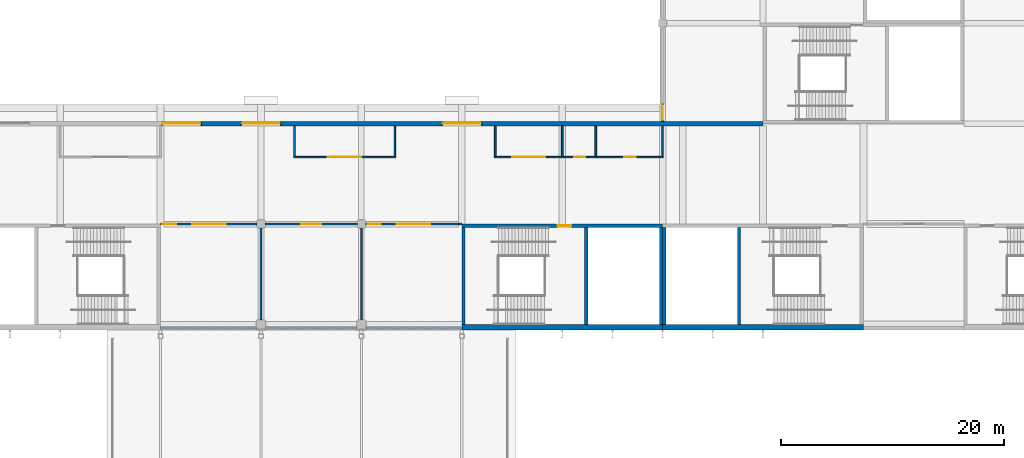
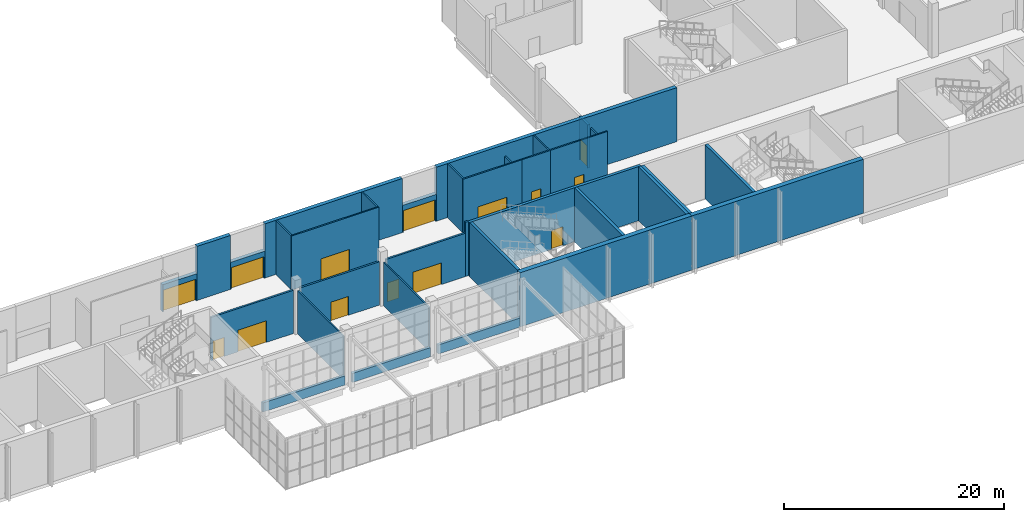
# One storey, part 40 of 89: 34 walls, 14 doors, 14 openings.
"""IFC4 building model written with IfcOpenShell, lengths in metres."""

from ifc_helpers import new_model, si_unit, direction, frame, frame_2d, origin, place, context, subcontext, project, spatial, rectangle, extrude, material, layer, layer_set, type_object, element, fill, save


model = new_model("IFC4")

# Units and contexts
model_context = context("Model", 3, precision=1e-05, world=origin(), true_north=direction((0.0, 1.0)))
body_context = subcontext(model_context, "Body", "Model", "MODEL_VIEW")
ifc_project = project(units=[si_unit("LENGTHUNIT", "METRE"), si_unit("AREAUNIT", "SQUARE_METRE"), si_unit("VOLUMEUNIT", "CUBIC_METRE"), si_unit("PLANEANGLEUNIT", "RADIAN"), si_unit("MASSUNIT", "GRAM", prefix="KILO")], contexts=[model_context])

# Site, building, storey
site_placement = place(None, origin())
site = spatial("IfcSite", under=ifc_project, at=site_placement, CompositionType="ELEMENT")
building_placement = place(site_placement, origin())
building = spatial("IfcBuilding", under=site, at=building_placement, Name="Silverbay Arena", CompositionType="ELEMENT")
storey_placement = place(building_placement, frame((0.0, 0.0, 22.0)))
storey = spatial("IfcBuildingStorey", under=building, at=storey_placement, Name="L03", CompositionType="ELEMENT", Elevation=22.0)

# Wall, opening, door
ifc_material_1 = material(Name="Concrete Grade C45", Category="concrete")
ifc_layer_1 = layer(ifc_material_1, 0.25)
ifc_layer_set_1 = layer_set([ifc_layer_1], Name="Concrete Grade C45")
wall_type_1 = type_object("IfcWallType", Name="Bowl enclosure wall RC 250 EI 120", PredefinedType="SOLIDWALL", material=ifc_layer_set_1)
wall_1_placement = place(storey_placement, frame((162.0, 37.800048828125, 0.0), z_axis=(0.0, 0.0, 1.0), x_axis=(0.0, -1.0, 0.0)))
wall_1 = element("IfcWall", 1, at=wall_1_placement, inside=storey, type_object=wall_type_1, Name="gangway South upper stand end", PredefinedType="SOLIDWALL", context=body_context, shape_type="SweptSolid", body=[
    extrude(rectangle(XDim=1.60009765625, YDim=0.25, at=frame_2d((0.800048828125, 0.0))), origin(), (0.0, 0.0, 1.0), 4.800048828125),
])
opening_1_placement = place(wall_1_placement, frame((0.10009765625, 0.0, 0.0)))
opening_1 = element("IfcOpeningElement", 2, at=opening_1_placement, cuts=wall_1, Name="Opening L03-090", PredefinedType="OPENING", context=body_context, shape_type="SweptSolid", body=[
    extrude(rectangle(XDim=1.39990234375, YDim=2.39990234375, at=frame_2d((0.699951171875, 1.199951171875))), frame((0.0, 0.135009765625, 0.0), z_axis=(0.0, -1.0, 0.0), x_axis=(1.0, 0.0, 0.0)), (0.0, 0.0, 1.0), 0.27001953125),
])
ifc_material_2 = material(Name="Steel", Category="steel")
door_type_1 = type_object("IfcDoorType", Name="Fire door set 1400 x 2400 FD120S gangway", OperationType="DOUBLE_DOOR_SINGLE_SWING", PredefinedType="DOOR", material=ifc_material_2)
door_1_placement = place(opening_1_placement, origin())
door_1 = element("IfcDoor", 3, at=door_1_placement, inside=storey, type_object=door_type_1, Name="Fire door set L03 gangway South upper stand end", OperationType="DOUBLE_DOOR_SINGLE_SWING", OverallHeight=2.39990234375, OverallWidth=1.39990234375, PredefinedType="DOOR", context=body_context, shape_type="SweptSolid", body=[
    extrude(rectangle(XDim=1.39990234375, YDim=2.39990234375, at=frame_2d((0.699951171875, 1.199951171875))), frame((0.0, 0.02490234375, 0.0), z_axis=(0.0, -1.0, 0.0), x_axis=(1.0, 0.0, 0.0)), (0.0, 0.0, 1.0), 0.050048828125),
])
fill(opening_1, door_1)

ifc_material_3 = material(Name="Concrete Grade C45", Category="concrete")
ifc_layer_2 = layer(ifc_material_3, 0.39990234375)
ifc_layer_set_2 = layer_set([ifc_layer_2], Name="Concrete Grade C45")
wall_type_2 = type_object("IfcWallType", Name="Bowl enclosure wall RC 400 EI 120", PredefinedType="SOLIDWALL", material=ifc_layer_set_2)
wall_2_placement = place(storey_placement, frame((124.199951171875, 36.0, 0.0), z_axis=(0.0, 0.0, 1.0), x_axis=(1.0, 0.0, 0.0)))
wall_2 = element("IfcWall", 4, at=wall_2_placement, inside=storey, type_object=wall_type_2, Name="portal vomitory S 126", PredefinedType="SOLIDWALL", context=body_context, shape_type="SweptSolid", body=[
    extrude(rectangle(XDim=3.60009765625, YDim=0.39990234375, at=frame_2d((1.800048828125, 0.0))), origin(), (0.0, 0.0, 1.0), 3.0),
])
opening_2_placement = place(wall_2_placement, frame((0.10009765625, 0.0, 0.0)))
opening_2 = element("IfcOpeningElement", 5, at=opening_2_placement, cuts=wall_2, Name="Opening L03-093", PredefinedType="OPENING", context=body_context, shape_type="SweptSolid", body=[
    extrude(rectangle(XDim=3.39990234375, YDim=2.39990234375, at=frame_2d((1.699951171875, 1.199951171875))), frame((0.0, 0.2099609375, 0.0), z_axis=(0.0, -1.0, 0.0), x_axis=(1.0, 0.0, 0.0)), (0.0, 0.0, 1.0), 0.419921875),
])
ifc_material_4 = material(Name="Steel", Category="steel")
door_type_2 = type_object("IfcDoorType", Name="Fire door set 3400 x 2400 FD120S portal", OperationType="DOUBLE_DOOR_SINGLE_SWING", PredefinedType="DOOR", material=ifc_material_4)
door_2_placement = place(opening_2_placement, frame((3.39990234375, 0.0, 0.0), z_axis=(0.0, 0.0, 1.0), x_axis=(-1.0, 0.0, 0.0)))
door_2 = element("IfcDoor", 6, at=door_2_placement, inside=storey, type_object=door_type_2, Name="Fire door set L03 portal vomitory S 126", OperationType="DOUBLE_DOOR_SINGLE_SWING", OverallHeight=2.39990234375, OverallWidth=3.39990234375, PredefinedType="DOOR", context=body_context, shape_type="SweptSolid", body=[
    extrude(rectangle(XDim=3.39990234375, YDim=2.39990234375, at=frame_2d((1.699951171875, 1.199951171875))), frame((0.0, 0.02490234375, 0.0), z_axis=(0.0, -1.0, 0.0), x_axis=(1.0, 0.0, 0.0)), (0.0, 0.0, 1.0), 0.050048828125),
])
fill(opening_2, door_2)

wall_3_placement = place(storey_placement, frame((142.199951171875, 36.0, 0.0), z_axis=(0.0, 0.0, 1.0), x_axis=(1.0, 0.0, 0.0)))
wall_3 = element("IfcWall", 7, at=wall_3_placement, inside=storey, type_object=wall_type_2, Name="portal vomitory S 144", PredefinedType="SOLIDWALL", context=body_context, shape_type="SweptSolid", body=[
    extrude(rectangle(XDim=3.60009765625, YDim=0.39990234375, at=frame_2d((1.800048828125, 0.0))), origin(), (0.0, 0.0, 1.0), 3.0),
])
opening_3_placement = place(wall_3_placement, frame((0.10009765625, 0.0, 0.0)))
opening_3 = element("IfcOpeningElement", 8, at=opening_3_placement, cuts=wall_3, Name="Opening L03-094", PredefinedType="OPENING", context=body_context, shape_type="SweptSolid", body=[
    extrude(rectangle(XDim=3.39990234375, YDim=2.39990234375, at=frame_2d((1.699951171875, 1.199951171875))), frame((0.0, 0.2099609375, 0.0), z_axis=(0.0, -1.0, 0.0), x_axis=(1.0, 0.0, 0.0)), (0.0, 0.0, 1.0), 0.419921875),
])
door_3_placement = place(opening_3_placement, frame((3.39990234375, 0.0, 0.0), z_axis=(0.0, 0.0, 1.0), x_axis=(-1.0, 0.0, 0.0)))
door_3 = element("IfcDoor", 9, at=door_3_placement, inside=storey, type_object=door_type_2, Name="Fire door set L03 portal vomitory S 144", OperationType="DOUBLE_DOOR_SINGLE_SWING", OverallHeight=2.39990234375, OverallWidth=3.39990234375, PredefinedType="DOOR", context=body_context, shape_type="SweptSolid", body=[
    extrude(rectangle(XDim=3.39990234375, YDim=2.39990234375, at=frame_2d((1.699951171875, 1.199951171875))), frame((0.0, 0.02490234375, 0.0), z_axis=(0.0, -1.0, 0.0), x_axis=(1.0, 0.0, 0.0)), (0.0, 0.0, 1.0), 0.050048828125),
])
fill(opening_3, door_3)

wall_4_placement = place(storey_placement, frame((117.074951171875, 36.0, 0.0), z_axis=(0.0, 0.0, 1.0), x_axis=(1.0, 0.0, 0.0)))
wall_4 = element("IfcWall", 10, at=wall_4_placement, inside=storey, type_object=wall_type_2, Name="portal stand S 118.875", PredefinedType="SOLIDWALL", context=body_context, shape_type="SweptSolid", body=[
    extrude(rectangle(XDim=3.60009765625, YDim=0.39990234375, at=frame_2d((1.800048828125, 0.0))), origin(), (0.0, 0.0, 1.0), 3.0),
])
opening_4_placement = place(wall_4_placement, frame((0.10009765625, 0.0, 0.0)))
opening_4 = element("IfcOpeningElement", 11, at=opening_4_placement, cuts=wall_4, Name="Opening L03-100", PredefinedType="OPENING", context=body_context, shape_type="SweptSolid", body=[
    extrude(rectangle(XDim=3.39990234375, YDim=2.39990234375, at=frame_2d((1.699951171875, 1.199951171875))), frame((0.0, 0.2099609375, 0.0), z_axis=(0.0, -1.0, 0.0), x_axis=(1.0, 0.0, 0.0)), (0.0, 0.0, 1.0), 0.419921875),
])
door_4_placement = place(opening_4_placement, frame((3.39990234375, 0.0, 0.0), z_axis=(0.0, 0.0, 1.0), x_axis=(-1.0, 0.0, 0.0)))
door_4 = element("IfcDoor", 12, at=door_4_placement, inside=storey, type_object=door_type_2, Name="Fire door set L03 portal stand S 118.875", OperationType="DOUBLE_DOOR_SINGLE_SWING", OverallHeight=2.39990234375, OverallWidth=3.39990234375, PredefinedType="DOOR", context=body_context, shape_type="SweptSolid", body=[
    extrude(rectangle(XDim=3.39990234375, YDim=2.39990234375, at=frame_2d((1.699951171875, 1.199951171875))), frame((0.0, 0.02490234375, 0.0), z_axis=(0.0, -1.0, 0.0), x_axis=(1.0, 0.0, 0.0)), (0.0, 0.0, 1.0), 0.050048828125),
])
fill(opening_4, door_4)

# Walls
ifc_material_5 = material(Name="Concrete Grade C45 precast, light finish", Category="concrete")
ifc_layer_3 = layer(ifc_material_5, 0.300048828125)
ifc_layer_set_3 = layer_set([ifc_layer_3], Name="Concrete Grade C45 precast, light finish")
wall_type_3 = type_object("IfcWallType", Name="Cladded external wall 300", PredefinedType="SOLIDWALL", material=ifc_layer_set_3)
wall_5_placement = place(storey_placement, frame((117.0, 17.64990234375, 0.0), z_axis=(0.0, 0.0, 1.0), x_axis=(1.0, 0.0, 0.0)))
element("IfcWall", 13, at=wall_5_placement, inside=storey, type_object=wall_type_3, Name="South sill wall L03 bay 8", PredefinedType="SOLIDWALL", context=body_context, shape_type="SweptSolid", body=[
    extrude(rectangle(XDim=8.60009765625, YDim=0.300048828125, at=frame_2d((4.300048828125, 0.0))), origin(), (0.0, 0.0, 1.0), 1.0),
])
wall_6_placement = place(storey_placement, frame((126.39990234375, 17.64990234375, 0.0), z_axis=(0.0, 0.0, 1.0), x_axis=(1.0, 0.0, 0.0)))
element("IfcWall", 14, at=wall_6_placement, inside=storey, type_object=wall_type_3, Name="South sill wall L03 bay 9", PredefinedType="SOLIDWALL", context=body_context, shape_type="SweptSolid", body=[
    extrude(rectangle(XDim=8.2001953125, YDim=0.300048828125, at=frame_2d((4.10009765625, 0.0))), origin(), (0.0, 0.0, 1.0), 1.0),
])
wall_7_placement = place(storey_placement, frame((135.39990234375, 17.64990234375, 0.0), z_axis=(0.0, 0.0, 1.0), x_axis=(1.0, 0.0, 0.0)))
element("IfcWall", 15, at=wall_7_placement, inside=storey, type_object=wall_type_3, Name="South sill wall L03 bay 10", PredefinedType="SOLIDWALL", context=body_context, shape_type="SweptSolid", body=[
    extrude(rectangle(XDim=8.60009765625, YDim=0.300048828125, at=frame_2d((4.300048828125, 0.0))), origin(), (0.0, 0.0, 1.0), 1.0),
])

# Wall, opening, door
ifc_material_6 = material(Name="Concrete Grade C45", Category="concrete")
ifc_layer_4 = layer(ifc_material_6, 0.300048828125)
ifc_layer_set_4 = layer_set([ifc_layer_4], Name="Concrete Grade C45")
wall_type_4 = type_object("IfcWallType", Name="Core wall RC 300 EI 120", PredefinedType="SHEAR", material=ifc_layer_set_4)
wall_8_placement = place(storey_placement, frame((144.0, 26.85009765625, 0.0), z_axis=(0.0, 0.0, 1.0), x_axis=(1.0, 0.0, 0.0)))
wall_8 = element("IfcWall", 16, at=wall_8_placement, inside=storey, type_object=wall_type_4, Name="Core wall ST-S3 L03 door side", PredefinedType="SHEAR", context=body_context, shape_type="SweptSolid", body=[
    extrude(rectangle(XDim=18.0, YDim=0.300048828125, at=frame_2d((9.0, 0.0))), origin(), (0.0, 0.0, 1.0), 6.0),
])
opening_5_placement = place(wall_8_placement, frame((8.60009765625, 0.0, 0.0)))
opening_5 = element("IfcOpeningElement", 17, at=opening_5_placement, cuts=wall_8, Name="Opening L03-055", PredefinedType="OPENING", context=body_context, shape_type="SweptSolid", body=[
    extrude(rectangle(XDim=1.199951171875, YDim=2.10009765625, at=frame_2d((0.60009765625, 1.050048828125))), frame((0.0, 0.16015625, 0.0), z_axis=(0.0, -1.0, 0.0), x_axis=(1.0, 0.0, 0.0)), (0.0, 0.0, 1.0), 0.320068359375),
])
ifc_material_7 = material(Name="Steel fire door", Category="steel")
door_type_3 = type_object("IfcDoorType", Name="Stair door 1200 x 2100 fire door", OperationType="SINGLE_SWING_LEFT", PredefinedType="DOOR", material=ifc_material_7)
door_5_placement = place(opening_5_placement, frame((1.199951171875, 0.0, 0.0), z_axis=(0.0, 0.0, 1.0), x_axis=(-1.0, 0.0, 0.0)))
door_5 = element("IfcDoor", 18, at=door_5_placement, inside=storey, type_object=door_type_3, Name="Stair door ST-S3 L03", OperationType="SINGLE_SWING_LEFT", OverallHeight=2.10009765625, OverallWidth=1.199951171875, PredefinedType="DOOR", context=body_context, shape_type="SweptSolid", body=[
    extrude(rectangle(XDim=1.199951171875, YDim=2.10009765625, at=frame_2d((0.60009765625, 1.050048828125))), frame((0.0, 0.02490234375, 0.0), z_axis=(0.0, -1.0, 0.0), x_axis=(1.0, 0.0, 0.0)), (0.0, 0.0, 1.0), 0.050048828125),
])
fill(opening_5, door_5)

# Walls
for number, where, z_axis, x_axis, name in (
    (19, (144.14990234375, 26.699951171875, 0.0), (0.0, 0.0, 1.0), (0.0, -1.0, 0.0), "Core wall ST-S3 L03 end 1"),
    (20, (161.85009765625, 26.699951171875, 0.0), (0.0, 0.0, 1.0), (0.0, -1.0, 0.0), "Core wall ST-S3 L03 end 2"),
    (21, (155.14990234375, 26.699951171875, 0.0), (0.0, 0.0, 1.0), (0.0, -1.0, 0.0), "Core wall ST-S3 L03 stair enclosure"),
    (22, (162.14990234375, 26.699951171875, 0.0), (0.0, 0.0, 1.0), (0.0, -1.0, 0.0), "Core wall ST-S4 L03 end 2"),
    (23, (168.85009765625, 26.699951171875, 0.0), (0.0, 0.0, 1.0), (0.0, -1.0, 0.0), "Core wall ST-S4 L03 stair enclosure"),
):
    element("IfcWall", number, at=place(storey_placement, frame(where, z_axis=z_axis, x_axis=x_axis)), inside=storey, type_object=wall_type_4, Name=name, PredefinedType="SHEAR", context=body_context, shape_type="SweptSolid", body=[
        extrude(rectangle(XDim=8.699951171875, YDim=0.300048828125, at=frame_2d((4.35009765625, 0.0))), origin(), (0.0, 0.0, 1.0), 6.0),
    ])
ifc_material_8 = material(Name="Concrete Grade C45", Category="concrete")
ifc_layer_5 = layer(ifc_material_8, 0.5)
ifc_layer_set_5 = layer_set([ifc_layer_5], Name="Concrete Grade C45")
wall_type_5 = type_object("IfcWallType", Name="Core wall RC 500 external EI 120", PredefinedType="SHEAR", material=ifc_layer_set_5)
for number, where, z_axis, x_axis, name in (
    (24, (144.0, 17.75, 0.0), (0.0, 0.0, 1.0), (1.0, 0.0, 0.0), "Core wall ST-S3 L03 facade side"),
    (25, (180.0, 17.75, 0.0), (0.0, 0.0, 1.0), (-1.0, 0.0, 0.0), "Core wall ST-S4 L03 facade side"),
):
    element("IfcWall", number, at=place(storey_placement, frame(where, z_axis=z_axis, x_axis=x_axis)), inside=storey, type_object=wall_type_5, Name=name, PredefinedType="SHEAR", context=body_context, shape_type="SweptSolid", body=[
        extrude(rectangle(XDim=18.0, YDim=0.5, at=frame_2d((9.0, 0.0))), origin(), (0.0, 0.0, 1.0), 6.0),
    ])

# Wall, opening, door
ifc_material_9 = material(Name="Gypsum board partition on steel studs", Category="steel")
ifc_layer_6 = layer(ifc_material_9, 0.14990234375)
ifc_layer_set_6 = layer_set([ifc_layer_6], Name="Gypsum board partition on steel studs")
wall_type_6 = type_object("IfcWallType", Name="Partition 150 EI 60", PredefinedType="PARTITIONING", material=ifc_layer_set_6)
wall_9_placement = place(storey_placement, frame((128.925048828125, 33.0, 0.0), z_axis=(0.0, 0.0, 1.0), x_axis=(1.0, 0.0, 0.0)))
wall_9 = element("IfcWall", 26, at=wall_9_placement, inside=storey, type_object=wall_type_6, Name="Partition wall", PredefinedType="PARTITIONING", context=body_context, shape_type="SweptSolid", body=[
    extrude(rectangle(XDim=9.14990234375, YDim=0.14990234375, at=frame_2d((4.574951171875, 0.0))), origin(), (0.0, 0.0, 1.0), 6.0),
])
opening_6_placement = place(wall_9_placement, frame((3.074951171875, 0.0, 0.0)))
opening_6 = element("IfcOpeningElement", 27, at=opening_6_placement, cuts=wall_9, Name="Opening L03-028", PredefinedType="OPENING", context=body_context, shape_type="SweptSolid", body=[
    extrude(rectangle(XDim=3.0, YDim=2.39990234375, at=frame_2d((1.5, 1.199951171875))), frame((0.0, 0.0849609375, 0.0), z_axis=(0.0, -1.0, 0.0), x_axis=(1.0, 0.0, 0.0)), (0.0, 0.0, 1.0), 0.169921875),
])
ifc_material_10 = material(Name="Steel", Category="steel")
door_type_4 = type_object("IfcDoorType", Name="Roller shutter 3000 x 2400 FD30S", OperationType="ROLLINGUP", PredefinedType="DOOR", material=ifc_material_10)
door_6_placement = place(opening_6_placement, origin())
door_6 = element("IfcDoor", 28, at=door_6_placement, inside=storey, type_object=door_type_4, Name="Door L03-028", OperationType="ROLLINGUP", OverallHeight=2.39990234375, OverallWidth=3.0, PredefinedType="DOOR", context=body_context, shape_type="SweptSolid", body=[
    extrude(rectangle(XDim=3.0, YDim=2.39990234375, at=frame_2d((1.5, 1.199951171875))), frame((0.0, 0.02490234375, 0.0), z_axis=(0.0, -1.0, 0.0), x_axis=(1.0, 0.0, 0.0)), (0.0, 0.0, 1.0), 0.050048828125),
])
fill(opening_6, door_6)

wall_10_placement = place(storey_placement, frame((146.925048828125, 33.0, 0.0), z_axis=(0.0, 0.0, 1.0), x_axis=(1.0, 0.0, 0.0)))
wall_10 = element("IfcWall", 29, at=wall_10_placement, inside=storey, type_object=wall_type_6, Name="Partition wall", PredefinedType="PARTITIONING", context=body_context, shape_type="SweptSolid", body=[
    extrude(rectangle(XDim=6.14990234375, YDim=0.14990234375, at=frame_2d((3.074951171875, 0.0))), origin(), (0.0, 0.0, 1.0), 6.0),
])
opening_7_placement = place(wall_10_placement, frame((1.574951171875, 0.0, 0.0)))
opening_7 = element("IfcOpeningElement", 30, at=opening_7_placement, cuts=wall_10, Name="Opening L03-029", PredefinedType="OPENING", context=body_context, shape_type="SweptSolid", body=[
    extrude(rectangle(XDim=3.0, YDim=2.39990234375, at=frame_2d((1.5, 1.199951171875))), frame((0.0, 0.0849609375, 0.0), z_axis=(0.0, -1.0, 0.0), x_axis=(1.0, 0.0, 0.0)), (0.0, 0.0, 1.0), 0.169921875),
])
door_7_placement = place(opening_7_placement, origin())
door_7 = element("IfcDoor", 31, at=door_7_placement, inside=storey, type_object=door_type_4, Name="Door L03-029", OperationType="ROLLINGUP", OverallHeight=2.39990234375, OverallWidth=3.0, PredefinedType="DOOR", context=body_context, shape_type="SweptSolid", body=[
    extrude(rectangle(XDim=3.0, YDim=2.39990234375, at=frame_2d((1.5, 1.199951171875))), frame((0.0, 0.02490234375, 0.0), z_axis=(0.0, -1.0, 0.0), x_axis=(1.0, 0.0, 0.0)), (0.0, 0.0, 1.0), 0.050048828125),
])
fill(opening_7, door_7)

wall_11_placement = place(storey_placement, frame((153.074951171875, 33.0, 0.0), z_axis=(0.0, 0.0, 1.0), x_axis=(1.0, 0.0, 0.0)))
wall_11 = element("IfcWall", 32, at=wall_11_placement, inside=storey, type_object=wall_type_6, Name="Partition wall", PredefinedType="PARTITIONING", context=body_context, shape_type="SweptSolid", body=[
    extrude(rectangle(XDim=3.0, YDim=0.14990234375, at=frame_2d((1.5, 0.0))), origin(), (0.0, 0.0, 1.0), 6.0),
])
opening_8_placement = place(wall_11_placement, frame((1.0, 0.0, 0.0)))
opening_8 = element("IfcOpeningElement", 33, at=opening_8_placement, cuts=wall_11, Name="Opening L03-030", PredefinedType="OPENING", context=body_context, shape_type="SweptSolid", body=[
    extrude(rectangle(XDim=1.0, YDim=2.10009765625, at=frame_2d((0.5, 1.050048828125))), frame((0.0, 0.0849609375, 0.0), z_axis=(0.0, -1.0, 0.0), x_axis=(1.0, 0.0, 0.0)), (0.0, 0.0, 1.0), 0.169921875),
])
ifc_material_11 = material(Name="Steel faced timber", Category="steel")
door_type_5 = type_object("IfcDoorType", Name="Single leaf door 1000 x 2100 FD30S", OperationType="SINGLE_SWING_LEFT", PredefinedType="DOOR", material=ifc_material_11)
door_8_placement = place(opening_8_placement, origin())
door_8 = element("IfcDoor", 34, at=door_8_placement, inside=storey, type_object=door_type_5, Name="Door L03-030", OperationType="SINGLE_SWING_RIGHT", OverallHeight=2.10009765625, OverallWidth=1.0, PredefinedType="DOOR", context=body_context, shape_type="SweptSolid", body=[
    extrude(rectangle(XDim=1.0, YDim=2.10009765625, at=frame_2d((0.5, 1.050048828125))), frame((0.0, 0.02490234375, 0.0), z_axis=(0.0, -1.0, 0.0), x_axis=(1.0, 0.0, 0.0)), (0.0, 0.0, 1.0), 0.050048828125),
])
fill(opening_8, door_8)

wall_12_placement = place(storey_placement, frame((156.074951171875, 33.0, 0.0), z_axis=(0.0, 0.0, 1.0), x_axis=(1.0, 0.0, 0.0)))
wall_12 = element("IfcWall", 35, at=wall_12_placement, inside=storey, type_object=wall_type_6, Name="Partition wall", PredefinedType="PARTITIONING", context=body_context, shape_type="SweptSolid", body=[
    extrude(rectangle(XDim=6.0, YDim=0.14990234375, at=frame_2d((3.0, 0.0))), origin(), (0.0, 0.0, 1.0), 6.0),
])
opening_9_placement = place(wall_12_placement, frame((2.5, 0.0, 0.0)))
opening_9 = element("IfcOpeningElement", 36, at=opening_9_placement, cuts=wall_12, Name="Opening L03-031", PredefinedType="OPENING", context=body_context, shape_type="SweptSolid", body=[
    extrude(rectangle(XDim=1.0, YDim=2.10009765625, at=frame_2d((0.5, 1.050048828125))), frame((0.0, 0.0849609375, 0.0), z_axis=(0.0, -1.0, 0.0), x_axis=(1.0, 0.0, 0.0)), (0.0, 0.0, 1.0), 0.169921875),
])
door_9_placement = place(opening_9_placement, origin())
door_9 = element("IfcDoor", 37, at=door_9_placement, inside=storey, type_object=door_type_5, Name="Door L03-031", OperationType="SINGLE_SWING_LEFT", OverallHeight=2.10009765625, OverallWidth=1.0, PredefinedType="DOOR", context=body_context, shape_type="SweptSolid", body=[
    extrude(rectangle(XDim=1.0, YDim=2.10009765625, at=frame_2d((0.5, 1.050048828125))), frame((0.0, 0.02490234375, 0.0), z_axis=(0.0, -1.0, 0.0), x_axis=(1.0, 0.0, 0.0)), (0.0, 0.0, 1.0), 0.050048828125),
])
fill(opening_9, door_9)

# Walls
wall_13_placement = place(storey_placement, frame((126.0, 18.39990234375, 0.0), z_axis=(0.0, 0.0, 1.0), x_axis=(0.0, 1.0, 0.0)))
element("IfcWall", 38, at=wall_13_placement, inside=storey, type_object=wall_type_6, Name="Partition wall", PredefinedType="PARTITIONING", context=body_context, shape_type="SweptSolid", body=[
    extrude(rectangle(XDim=8.25, YDim=0.14990234375, at=frame_2d((4.125, 0.0))), origin(), (0.0, 0.0, 1.0), 4.800048828125),
])
wall_14_placement = place(storey_placement, frame((129.0, 33.074951171875, 0.0), z_axis=(0.0, 0.0, 1.0), x_axis=(0.0, 1.0, 0.0)))
element("IfcWall", 39, at=wall_14_placement, inside=storey, type_object=wall_type_6, Name="Partition wall", PredefinedType="PARTITIONING", context=body_context, shape_type="SweptSolid", body=[
    extrude(rectangle(XDim=2.72509765625, YDim=0.14990234375, at=frame_2d((1.362548828125, 0.0))), origin(), (0.0, 0.0, 1.0), 6.0),
])
wall_15_placement = place(storey_placement, frame((135.0, 18.39990234375, 0.0), z_axis=(0.0, 0.0, 1.0), x_axis=(0.0, 1.0, 0.0)))
element("IfcWall", 40, at=wall_15_placement, inside=storey, type_object=wall_type_6, Name="Partition wall", PredefinedType="PARTITIONING", context=body_context, shape_type="SweptSolid", body=[
    extrude(rectangle(XDim=8.25, YDim=0.14990234375, at=frame_2d((4.125, 0.0))), origin(), (0.0, 0.0, 1.0), 4.800048828125),
])
for number, where, z_axis, x_axis, name in (
    (41, (138.0, 33.074951171875, 0.0), (0.0, 0.0, 1.0), (0.0, 1.0, 0.0), "Partition wall"),
    (42, (147.0, 33.074951171875, 0.0), (0.0, 0.0, 1.0), (0.0, 1.0, 0.0), "Partition wall"),
):
    element("IfcWall", number, at=place(storey_placement, frame(where, z_axis=z_axis, x_axis=x_axis)), inside=storey, type_object=wall_type_6, Name=name, PredefinedType="PARTITIONING", context=body_context, shape_type="SweptSolid", body=[
        extrude(rectangle(XDim=2.72509765625, YDim=0.14990234375, at=frame_2d((1.362548828125, 0.0))), origin(), (0.0, 0.0, 1.0), 6.0),
    ])
wall_16_placement = place(storey_placement, frame((153.0, 33.074951171875, 0.0), z_axis=(0.0, 0.0, 1.0), x_axis=(0.0, 1.0, 0.0)))
element("IfcWall", 43, at=wall_16_placement, inside=storey, type_object=wall_type_6, Name="Partition wall", PredefinedType="PARTITIONING", context=body_context, shape_type="SweptSolid", body=[
    extrude(rectangle(XDim=2.72509765625, YDim=0.14990234375, at=frame_2d((1.362548828125, 0.0))), origin(), (0.0, 0.0, 1.0), 4.699951171875),
])
wall_17_placement = place(storey_placement, frame((156.0, 33.074951171875, 0.0), z_axis=(0.0, 0.0, 1.0), x_axis=(0.0, 1.0, 0.0)))
element("IfcWall", 44, at=wall_17_placement, inside=storey, type_object=wall_type_6, Name="Partition wall", PredefinedType="PARTITIONING", context=body_context, shape_type="SweptSolid", body=[
    extrude(rectangle(XDim=2.72509765625, YDim=0.14990234375, at=frame_2d((1.362548828125, 0.0))), origin(), (0.0, 0.0, 1.0), 6.0),
])
wall_18_placement = place(storey_placement, frame((162.0, 33.074951171875, 0.0), z_axis=(0.0, 0.0, 1.0), x_axis=(0.0, 1.0, 0.0)))
element("IfcWall", 45, at=wall_18_placement, inside=storey, type_object=wall_type_6, Name="Partition wall", PredefinedType="PARTITIONING", context=body_context, shape_type="SweptSolid", body=[
    extrude(rectangle(XDim=2.72509765625, YDim=0.14990234375, at=frame_2d((1.362548828125, 0.0))), origin(), (0.0, 0.0, 1.0), 4.699951171875),
])

# Wall, opening, door
ifc_material_12 = material(Name="Masonry blockwork partition", Category="masonry")
ifc_layer_7 = layer(ifc_material_12, 0.199951171875)
ifc_layer_set_7 = layer_set([ifc_layer_7], Name="Masonry blockwork partition")
wall_type_7 = type_object("IfcWallType", Name="Partition 200 EI 120", PredefinedType="PARTITIONING", material=ifc_layer_set_7)
wall_19_placement = place(storey_placement, frame((126.35009765625, 27.0, 0.0), z_axis=(0.0, 0.0, 1.0), x_axis=(1.0, 0.0, 0.0)))
wall_19 = element("IfcWall", 46, at=wall_19_placement, inside=storey, type_object=wall_type_7, Name="Partition wall", PredefinedType="PARTITIONING", context=body_context, shape_type="SweptSolid", body=[
    extrude(rectangle(XDim=8.2998046875, YDim=0.199951171875, at=frame_2d((4.14990234375, 0.0))), origin(), (0.0, 0.0, 1.0), 4.800048828125),
])
opening_10_placement = place(wall_19_placement, frame((3.25, 0.0, 0.0)))
opening_10 = element("IfcOpeningElement", 47, at=opening_10_placement, cuts=wall_19, Name="Opening L03-003", PredefinedType="OPENING", context=body_context, shape_type="SweptSolid", body=[
    extrude(rectangle(XDim=1.800048828125, YDim=2.10009765625, at=frame_2d((0.89990234375, 1.050048828125))), frame((0.0, 0.10986328125, 0.0), z_axis=(0.0, -1.0, 0.0), x_axis=(1.0, 0.0, 0.0)), (0.0, 0.0, 1.0), 0.219970703125),
])
ifc_material_13 = material(Name="Steel faced timber", Category="steel")
door_type_6 = type_object("IfcDoorType", Name="Double leaf door 1800 x 2100 FD120", OperationType="DOUBLE_DOOR_DOUBLE_SWING", PredefinedType="DOOR", material=ifc_material_13)
door_10_placement = place(opening_10_placement, frame((1.800048828125, 0.0, 0.0), z_axis=(0.0, 0.0, 1.0), x_axis=(-1.0, 0.0, 0.0)))
door_10 = element("IfcDoor", 48, at=door_10_placement, inside=storey, type_object=door_type_6, Name="Door L03-003", OperationType="DOUBLE_DOOR_DOUBLE_SWING", OverallHeight=2.10009765625, OverallWidth=1.800048828125, PredefinedType="DOOR", context=body_context, shape_type="SweptSolid", body=[
    extrude(rectangle(XDim=1.800048828125, YDim=2.10009765625, at=frame_2d((0.89990234375, 1.050048828125))), frame((0.0, 0.02490234375, 0.0), z_axis=(0.0, -1.0, 0.0), x_axis=(1.0, 0.0, 0.0)), (0.0, 0.0, 1.0), 0.050048828125),
])
fill(opening_10, door_10)

# Wall, openings, doors
ifc_material_14 = material(Name="Gypsum board partition on steel studs", Category="steel")
ifc_layer_8 = layer(ifc_material_14, 0.199951171875)
ifc_layer_set_8 = layer_set([ifc_layer_8], Name="Gypsum board partition on steel studs")
wall_type_8 = type_object("IfcWallType", Name="Partition 200 EI 60", PredefinedType="PARTITIONING", material=ifc_layer_set_8)
wall_20_placement = place(storey_placement, frame((117.0, 27.0, 0.0), z_axis=(0.0, 0.0, 1.0), x_axis=(1.0, 0.0, 0.0)))
wall_20 = element("IfcWall", 49, at=wall_20_placement, inside=storey, type_object=wall_type_8, Name="Partition wall", PredefinedType="PARTITIONING", context=body_context, shape_type="SweptSolid", body=[
    extrude(rectangle(XDim=8.64990234375, YDim=0.199951171875, at=frame_2d((4.324951171875, 0.0))), origin(), (0.0, 0.0, 1.0), 4.800048828125),
])
opening_11_placement = place(wall_20_placement, frame((2.824951171875, 0.0, 0.0)))
opening_11 = element("IfcOpeningElement", 50, at=opening_11_placement, cuts=wall_20, Name="Opening L03-002", PredefinedType="OPENING", context=body_context, shape_type="SweptSolid", body=[
    extrude(rectangle(XDim=3.0, YDim=2.39990234375, at=frame_2d((1.5, 1.199951171875))), frame((0.0, 0.10986328125, 0.0), z_axis=(0.0, -1.0, 0.0), x_axis=(1.0, 0.0, 0.0)), (0.0, 0.0, 1.0), 0.219970703125),
])
opening_12_placement = place(wall_20_placement, frame((0.199951171875, 0.0, 0.0)))
opening_12 = element("IfcOpeningElement", 51, at=opening_12_placement, cuts=wall_20, Name="Opening L03-048", PredefinedType="OPENING", context=body_context, shape_type="SweptSolid", body=[
    extrude(rectangle(XDim=1.199951171875, YDim=2.10009765625, at=frame_2d((0.60009765625, 1.050048828125))), frame((0.0, 0.10986328125, 0.0), z_axis=(0.0, -1.0, 0.0), x_axis=(1.0, 0.0, 0.0)), (0.0, 0.0, 1.0), 0.219970703125),
])
door_11_placement = place(opening_11_placement, origin())
door_11 = element("IfcDoor", 52, at=door_11_placement, inside=storey, type_object=door_type_4, Name="Door L03-002", OperationType="ROLLINGUP", OverallHeight=2.39990234375, OverallWidth=3.0, PredefinedType="DOOR", context=body_context, shape_type="SweptSolid", body=[
    extrude(rectangle(XDim=3.0, YDim=2.39990234375, at=frame_2d((1.5, 1.199951171875))), frame((0.0, 0.02490234375, 0.0), z_axis=(0.0, -1.0, 0.0), x_axis=(1.0, 0.0, 0.0)), (0.0, 0.0, 1.0), 0.050048828125),
])
fill(opening_11, door_11)
ifc_material_15 = material(Name="Steel faced timber", Category="steel")
door_type_7 = type_object("IfcDoorType", Name="Single leaf door 1200 x 2100 FD30S", OperationType="SINGLE_SWING_LEFT", PredefinedType="DOOR", material=ifc_material_15)
door_12_placement = place(opening_12_placement, frame((1.199951171875, 0.0, 0.0), z_axis=(0.0, 0.0, 1.0), x_axis=(-1.0, 0.0, 0.0)))
door_12 = element("IfcDoor", 53, at=door_12_placement, inside=storey, type_object=door_type_7, Name="Door L03-048", OperationType="SINGLE_SWING_RIGHT", OverallHeight=2.10009765625, OverallWidth=1.199951171875, PredefinedType="DOOR", context=body_context, shape_type="SweptSolid", body=[
    extrude(rectangle(XDim=1.199951171875, YDim=2.10009765625, at=frame_2d((0.60009765625, 1.050048828125))), frame((0.0, 0.02490234375, 0.0), z_axis=(0.0, -1.0, 0.0), x_axis=(1.0, 0.0, 0.0)), (0.0, 0.0, 1.0), 0.050048828125),
])
fill(opening_12, door_12)

wall_21_placement = place(storey_placement, frame((135.35009765625, 27.0, 0.0), z_axis=(0.0, 0.0, 1.0), x_axis=(1.0, 0.0, 0.0)))
wall_21 = element("IfcWall", 54, at=wall_21_placement, inside=storey, type_object=wall_type_8, Name="Partition wall", PredefinedType="PARTITIONING", context=body_context, shape_type="SweptSolid", body=[
    extrude(rectangle(XDim=8.349853515625, YDim=0.199951171875, at=frame_2d((4.1748046875, 0.0))), origin(), (0.0, 0.0, 1.0), 4.800048828125),
])
opening_13_placement = place(wall_21_placement, frame((2.824951171875, 0.0, 0.0)))
opening_13 = element("IfcOpeningElement", 55, at=opening_13_placement, cuts=wall_21, Name="Opening L03-004", PredefinedType="OPENING", context=body_context, shape_type="SweptSolid", body=[
    extrude(rectangle(XDim=3.0, YDim=2.39990234375, at=frame_2d((1.5, 1.199951171875))), frame((0.0, 0.10986328125, 0.0), z_axis=(0.0, -1.0, 0.0), x_axis=(1.0, 0.0, 0.0)), (0.0, 0.0, 1.0), 0.219970703125),
])
opening_14_placement = place(wall_21_placement, frame((0.199951171875, 0.0, 0.0)))
opening_14 = element("IfcOpeningElement", 56, at=opening_14_placement, cuts=wall_21, Name="Opening L03-049", PredefinedType="OPENING", context=body_context, shape_type="SweptSolid", body=[
    extrude(rectangle(XDim=1.199951171875, YDim=2.10009765625, at=frame_2d((0.60009765625, 1.050048828125))), frame((0.0, 0.10986328125, 0.0), z_axis=(0.0, -1.0, 0.0), x_axis=(1.0, 0.0, 0.0)), (0.0, 0.0, 1.0), 0.219970703125),
])
door_13_placement = place(opening_13_placement, origin())
door_13 = element("IfcDoor", 57, at=door_13_placement, inside=storey, type_object=door_type_4, Name="Door L03-004", OperationType="ROLLINGUP", OverallHeight=2.39990234375, OverallWidth=3.0, PredefinedType="DOOR", context=body_context, shape_type="SweptSolid", body=[
    extrude(rectangle(XDim=3.0, YDim=2.39990234375, at=frame_2d((1.5, 1.199951171875))), frame((0.0, 0.02490234375, 0.0), z_axis=(0.0, -1.0, 0.0), x_axis=(1.0, 0.0, 0.0)), (0.0, 0.0, 1.0), 0.050048828125),
])
fill(opening_13, door_13)
door_14_placement = place(opening_14_placement, frame((1.199951171875, 0.0, 0.0), z_axis=(0.0, 0.0, 1.0), x_axis=(-1.0, 0.0, 0.0)))
door_14 = element("IfcDoor", 58, at=door_14_placement, inside=storey, type_object=door_type_7, Name="Door L03-049", OperationType="SINGLE_SWING_RIGHT", OverallHeight=2.10009765625, OverallWidth=1.199951171875, PredefinedType="DOOR", context=body_context, shape_type="SweptSolid", body=[
    extrude(rectangle(XDim=1.199951171875, YDim=2.10009765625, at=frame_2d((0.60009765625, 1.050048828125))), frame((0.0, 0.02490234375, 0.0), z_axis=(0.0, -1.0, 0.0), x_axis=(1.0, 0.0, 0.0)), (0.0, 0.0, 1.0), 0.050048828125),
])
fill(opening_14, door_14)

# Walls
wall_22_placement = place(storey_placement, frame((143.699951171875, 27.0, 0.0), z_axis=(0.0, 0.0, 1.0), x_axis=(1.0, 0.0, 0.0)))
element("IfcWall", 59, at=wall_22_placement, inside=storey, type_object=wall_type_8, Name="Partition wall", PredefinedType="PARTITIONING", context=body_context, shape_type="SweptSolid", body=[
    extrude(rectangle(XDim=0.300048828125, YDim=0.199951171875, at=frame_2d((0.14990234375, 0.0))), origin(), (0.0, 0.0, 1.0), 6.0),
])
ifc_material_16 = material(Name="Concrete Grade C45", Category="concrete")
ifc_layer_9 = layer(ifc_material_16, 0.39990234375)
ifc_layer_set_9 = layer_set([ifc_layer_9], Name="Concrete Grade C45")
wall_type_9 = type_object("IfcWallType", Name="RC back wall 400 EI 120", PredefinedType="SOLIDWALL", material=ifc_layer_set_9)
wall_23_placement = place(storey_placement, frame((120.675048828125, 36.0, 0.0), z_axis=(0.0, 0.0, 1.0), x_axis=(1.0, 0.0, 0.0)))
element("IfcWall", 60, at=wall_23_placement, inside=storey, type_object=wall_type_9, Name="Bowl back wall L03 03", PredefinedType="SOLIDWALL", context=body_context, shape_type="SweptSolid", body=[
    extrude(rectangle(XDim=3.52490234375, YDim=0.39990234375, at=frame_2d((1.762451171875, 0.0))), origin(), (0.0, 0.0, 1.0), 6.0),
])
wall_24_placement = place(storey_placement, frame((127.800048828125, 36.0, 0.0), z_axis=(0.0, 0.0, 1.0), x_axis=(1.0, 0.0, 0.0)))
element("IfcWall", 61, at=wall_24_placement, inside=storey, type_object=wall_type_9, Name="Bowl back wall L03 04", PredefinedType="SOLIDWALL", context=body_context, shape_type="SweptSolid", body=[
    extrude(rectangle(XDim=14.39990234375, YDim=0.39990234375, at=frame_2d((7.199951171875, 0.0))), origin(), (0.0, 0.0, 1.0), 6.0),
])
wall_25_placement = place(storey_placement, frame((145.800048828125, 36.0, 0.0), z_axis=(0.0, 0.0, 1.0), x_axis=(1.0, 0.0, 0.0)))
element("IfcWall", 62, at=wall_25_placement, inside=storey, type_object=wall_type_9, Name="Bowl back wall L03 05", PredefinedType="SOLIDWALL", context=body_context, shape_type="SweptSolid", body=[
    extrude(rectangle(XDim=25.199951171875, YDim=0.39990234375, at=frame_2d((12.60009765625, 0.0))), origin(), (0.0, 0.0, 1.0), 6.0),
])

save(model, "model.ifc")
